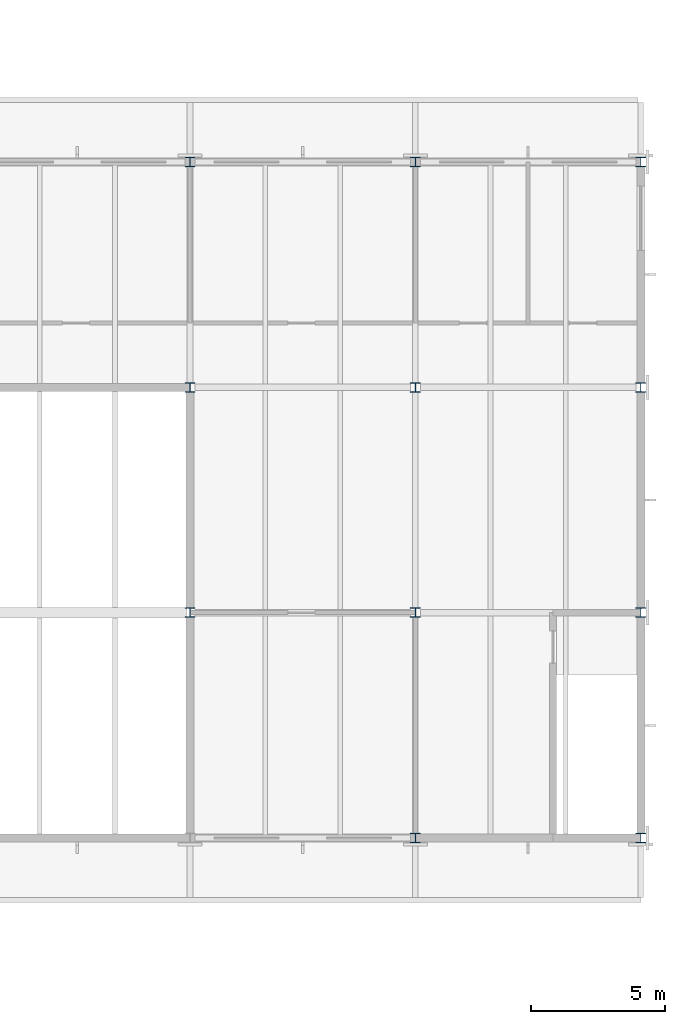
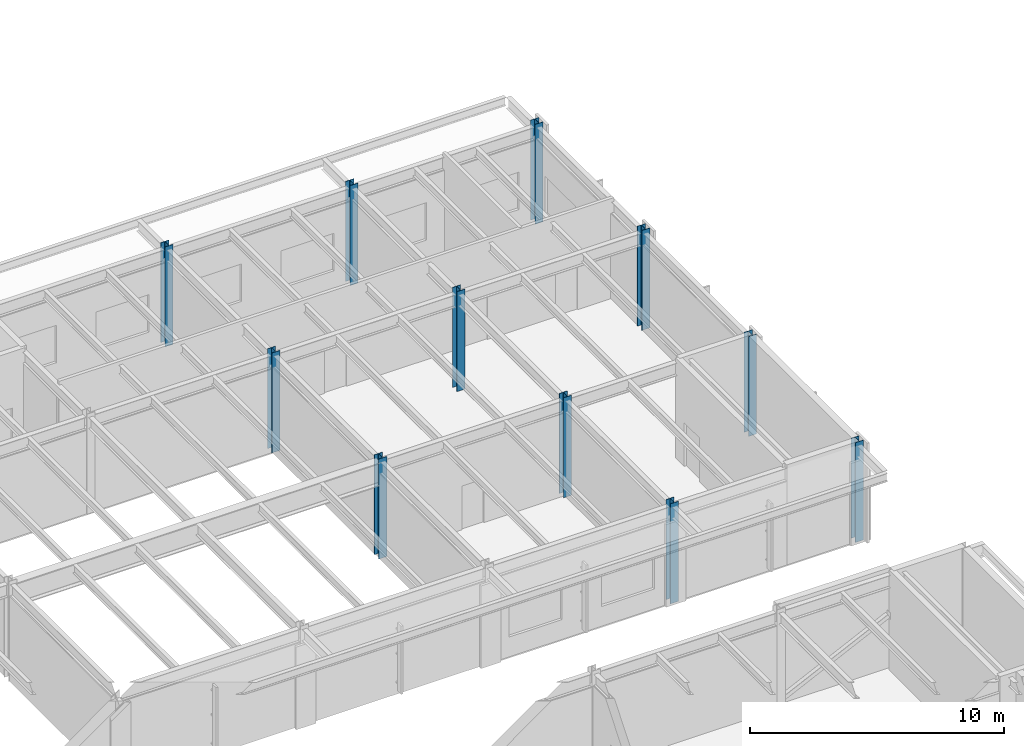
# One storey, part 14 of 116: 11 columns.
"""IFC4 building model written with IfcOpenShell, lengths in metres."""

from ifc_helpers import new_model, si_unit, direction, frame, origin, origin_2d, place, context, subcontext, project, spatial, i_section, extrude, material, material_profile, profile_set, type_object, element, save


model = new_model("IFC4")

# Units and contexts
model_context = context("Model", 3, precision=1e-05, world=origin(), true_north=direction((0.0, 1.0)))
body_context = subcontext(model_context, "Body", "Model", "MODEL_VIEW")
ifc_project = project(units=[si_unit("LENGTHUNIT", "METRE"), si_unit("AREAUNIT", "SQUARE_METRE"), si_unit("VOLUMEUNIT", "CUBIC_METRE"), si_unit("PLANEANGLEUNIT", "RADIAN"), si_unit("MASSUNIT", "GRAM", prefix="KILO")], contexts=[model_context])

# Site, building, storey
site_placement = place(None, origin())
site = spatial("IfcSite", under=ifc_project, at=site_placement, CompositionType="ELEMENT")
building_placement = place(site_placement, origin())
building = spatial("IfcBuilding", under=site, at=building_placement, Name="Ljudholm Concert House", CompositionType="ELEMENT")
storey_placement = place(building_placement, frame((0.0, 0.0, 10.199951171875)))
storey = spatial("IfcBuildingStorey", under=building, at=storey_placement, Name="L02", CompositionType="ELEMENT", Elevation=10.199951171875)

# Columns
ifc_material = material(Name="Steel ASTM A992", Category="steel")
ifc_material_profile = material_profile(ifc_material, i_section(OverallWidth=0.368408203125, OverallDepth=0.355712890625, WebThickness=0.01123046875, FlangeThickness=0.01806640625, FilletRadius=0.01513671875, at=origin_2d()), Name="W14X90")
ifc_profile_set = profile_set([ifc_material_profile], Name="Steel ASTM A992")
column_type = type_object("IfcColumnType", Name="STEEL COLUMN W14X90", PredefinedType="COLUMN", material=ifc_profile_set)
for number, where, z_axis, x_axis, name in (
    (1, (104.800048828125, 113.199951171875, 0.0), (0.0, 0.0, 1.0), (1.0, 0.0, 0.0), "Column STUDIO-L02-col-104.8-113.2"),
    (2, (104.800048828125, 121.60009765625, 0.0), (0.0, 0.0, 1.0), (1.0, 0.0, 0.0), "Column STUDIO-L02-col-104.8-121.6"),
    (3, (104.800048828125, 130.0, 0.0), (0.0, 0.0, 1.0), (1.0, 0.0, 0.0), "Column STUDIO-L02-col-104.8-130"),
    (4, (113.199951171875, 104.800048828125, 0.0), (0.0, 0.0, 1.0), (1.0, 0.0, 0.0), "Column STUDIO-L02-col-113.2-104.8"),
    (5, (113.199951171875, 113.199951171875, 0.0), (0.0, 0.0, 1.0), (1.0, 0.0, 0.0), "Column STUDIO-L02-col-113.2-113.2"),
    (6, (113.199951171875, 121.60009765625, 0.0), (0.0, 0.0, 1.0), (1.0, 0.0, 0.0), "Column STUDIO-L02-col-113.2-121.6"),
    (7, (113.199951171875, 130.0, 0.0), (0.0, 0.0, 1.0), (1.0, 0.0, 0.0), "Column STUDIO-L02-col-113.2-130"),
    (8, (121.60009765625, 104.800048828125, 0.0), (0.0, 0.0, 1.0), (1.0, 0.0, 0.0), "Column STUDIO-L02-col-121.6-104.8"),
    (9, (121.60009765625, 113.199951171875, 0.0), (0.0, 0.0, 1.0), (1.0, 0.0, 0.0), "Column STUDIO-L02-col-121.6-113.2"),
    (10, (121.60009765625, 121.60009765625, 0.0), (0.0, 0.0, 1.0), (1.0, 0.0, 0.0), "Column STUDIO-L02-col-121.6-121.6"),
    (11, (121.60009765625, 130.0, 0.0), (0.0, 0.0, 1.0), (1.0, 0.0, 0.0), "Column STUDIO-L02-col-121.6-130"),
):
    element("IfcColumn", number, at=place(storey_placement, frame(where, z_axis=z_axis, x_axis=x_axis)), inside=storey, type_object=column_type, Name=name, PredefinedType="COLUMN", context=body_context, shape_type="SweptSolid", body=[
        extrude(i_section(OverallWidth=0.368408203125, OverallDepth=0.355712890625, WebThickness=0.01123046875, FlangeThickness=0.01806640625, FilletRadius=0.01513671875, at=origin_2d()), origin(), (0.0, 0.0, 1.0), 4.800048828125),
    ])

save(model, "model.ifc")
